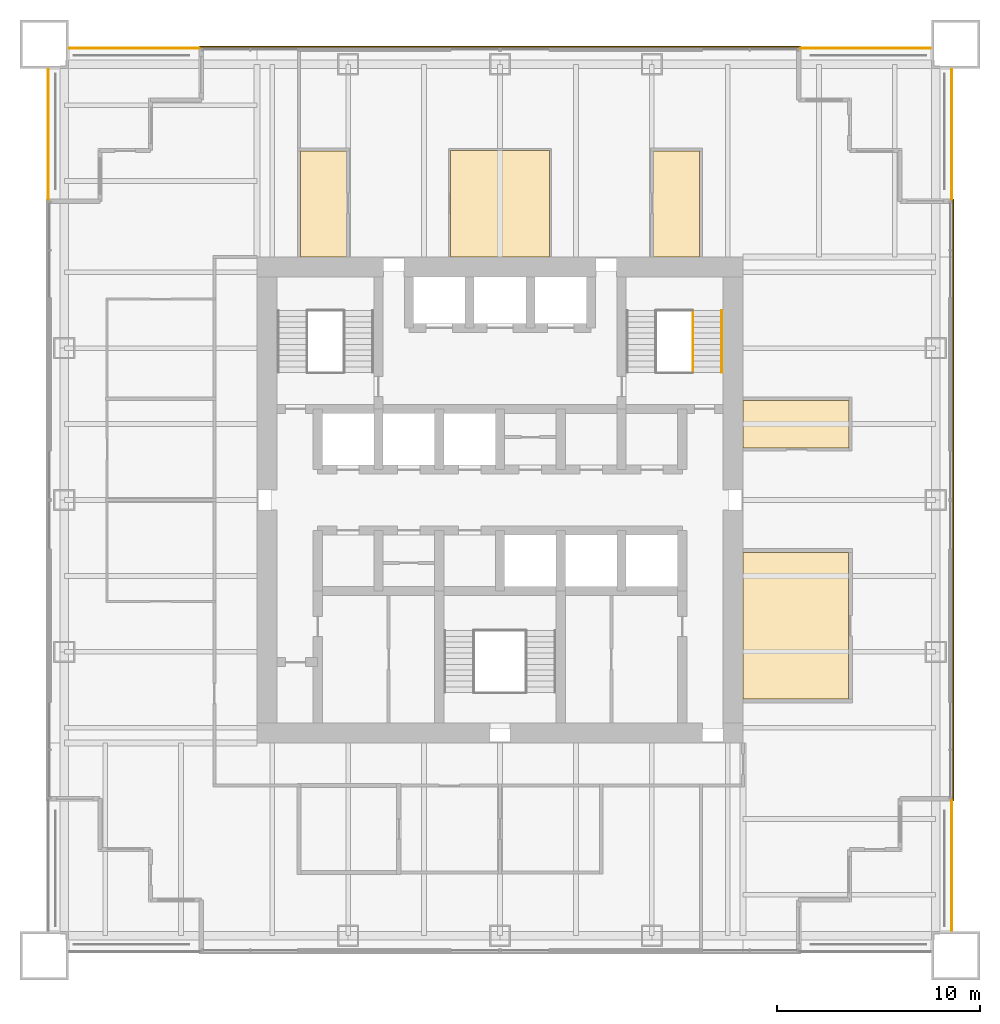
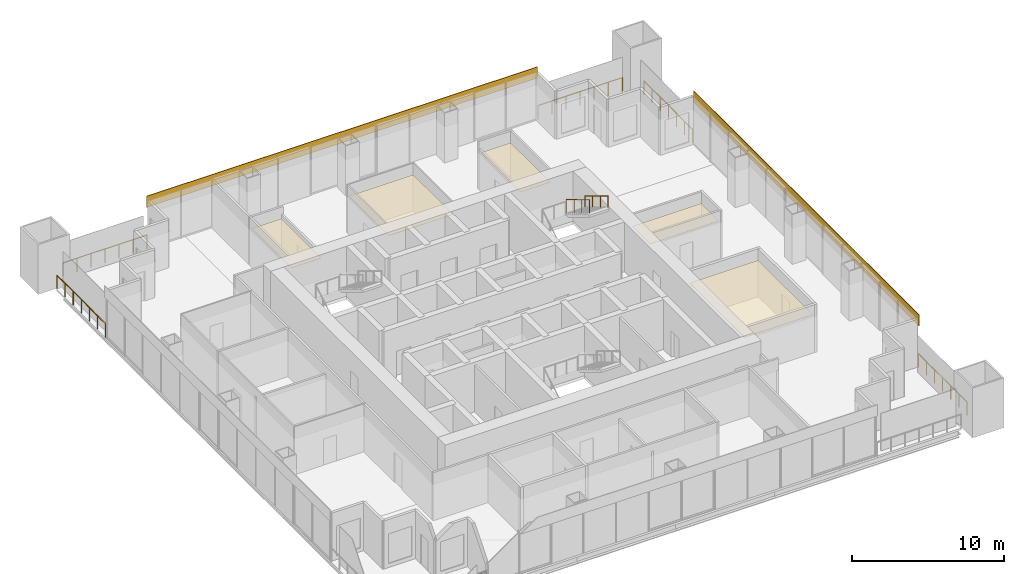
# One storey, part 13 of 13: 7 coverings, 7 railings.
"""IFC4 building model written with IfcOpenShell, lengths in metres."""

from ifc_helpers import new_model, si_unit, direction, frame, origin, origin_2d, place, context, subcontext, project, spatial, polyline, rectangle, circle, outline, extrude, material, layer, layer_set, type_object, element, save


model = new_model("IFC4")

# Units and contexts
model_context = context("Model", 3, precision=1e-05, world=origin(), true_north=direction((0.0, 1.0)))
body_context = subcontext(model_context, "Body", "Model", "MODEL_VIEW")
ifc_project = project(units=[si_unit("LENGTHUNIT", "METRE"), si_unit("AREAUNIT", "SQUARE_METRE"), si_unit("VOLUMEUNIT", "CUBIC_METRE"), si_unit("PLANEANGLEUNIT", "RADIAN"), si_unit("MASSUNIT", "GRAM", prefix="KILO")], contexts=[model_context])

# Site, building, storey
site_placement = place(None, origin())
site = spatial("IfcSite", under=ifc_project, at=site_placement, CompositionType="ELEMENT")
building_placement = place(site_placement, origin())
building = spatial("IfcBuilding", under=site, at=building_placement, Name="Tarangal Relay Tower", CompositionType="ELEMENT")
storey_placement = place(building_placement, frame((0.0, 0.0, 237.89990234375)))
storey = spatial("IfcBuildingStorey", under=building, at=storey_placement, Name="L51", CompositionType="ELEMENT", Elevation=237.89990234375)

# Coverings
ifc_material_1 = material(Name="Black anodised aluminium cladding", Category="aluminium")
ifc_layer_1 = layer(ifc_material_1, 0.050048828125)
ifc_layer_set_1 = layer_set([ifc_layer_1], Name="Black metal spandrel band")
covering_type_1 = type_object("IfcCoveringType", Name="Black metal spandrel band", PredefinedType="CLADDING", material=ifc_layer_set_1)
for number, where, z_axis, x_axis, name in (
    (1, (0.0, 22.375, 3.250244140625), (0.0, 0.0, 1.0), (1.0, 0.0, 0.0), "Spandrel band SB1 N L51"),
    (2, (22.375, 0.0, 3.250244140625), (0.0, 0.0, 1.0), (0.0, -1.0, 0.0), "Spandrel band SB1 E L51"),
):
    element("IfcCovering", number, at=place(storey_placement, frame(where, z_axis=z_axis, x_axis=x_axis)), inside=storey, type_object=covering_type_1, Name=name, PredefinedType="CLADDING", context=body_context, shape_type="SweptSolid", body=[
        extrude(rectangle(XDim=29.699951171875, YDim=0.050048828125, at=origin_2d()), origin(), (0.0, 0.0, 1.0), 0.89990234375),
    ])

# Railings
ifc_material_2 = material(Name="Steel guard, black finish", Category="steel")
railing_type_1 = type_object("IfcRailingType", Name="Stair guard 1100", PredefinedType="GUARDRAIL", material=ifc_material_2)
railing_1_placement = place(storey_placement, frame((9.530029296875, 9.346923828125, 2.166748046875)))
element("IfcRailing", 3, at=railing_1_placement, inside=storey, type_object=railing_type_1, Name="Stair ST-B guard GR1 L51 flight 2", PredefinedType="GUARDRAIL", context=body_context, shape_type="SweptSolid", body=[
    extrude(circle(Radius=0.02392578125, at=origin_2d()), frame((0.0, 0.0, 1.076171875), z_axis=(0.0, -0.85685617095, 0.515555527858), x_axis=(1.0, 0.0, 0.0)), (0.0, 0.0, 1.0), 3.555908203125),
    extrude(circle(Radius=0.02099609375, at=origin_2d()), origin(), (0.0, 0.0, 1.0), 1.052001953125),
    extrude(circle(Radius=0.02099609375, at=origin_2d()), frame((0.0, -1.015625, 0.611083984375)), (0.0, 0.0, 1.0), 1.052001953125),
    extrude(circle(Radius=0.02099609375, at=origin_2d()), frame((0.0, -2.03125, 1.22216796875)), (0.0, 0.0, 1.0), 1.052001953125),
    extrude(circle(Radius=0.02099609375, at=origin_2d()), frame((0.0, -3.046875, 1.833251953125)), (0.0, 0.0, 1.0), 1.052001953125),
])
ifc_material_3 = material(Name="Steel handrail, black finish", Category="steel")
railing_type_2 = type_object("IfcRailingType", Name="Stair handrail 900", PredefinedType="HANDRAIL", material=ifc_material_3)
railing_2_placement = place(storey_placement, frame((10.93994140625, 9.346923828125, 2.166748046875)))
element("IfcRailing", 4, at=railing_2_placement, inside=storey, type_object=railing_type_2, Name="Stair ST-B handrail HR1 L51 flight 2", PredefinedType="HANDRAIL", context=body_context, shape_type="SweptSolid", body=[
    extrude(circle(Radius=0.02392578125, at=origin_2d()), frame((0.0, 0.0, 0.8759765625), z_axis=(0.0, -0.85685617095, 0.515555527858), x_axis=(1.0, 0.0, 0.0)), (0.0, 0.0, 1.0), 3.555908203125),
    extrude(circle(Radius=0.02099609375, at=origin_2d()), origin(), (0.0, 0.0, 1.0), 0.851806640625),
    extrude(circle(Radius=0.02099609375, at=origin_2d()), frame((0.0, -1.015625, 0.611083984375)), (0.0, 0.0, 1.0), 0.851806640625),
    extrude(circle(Radius=0.02099609375, at=origin_2d()), frame((0.0, -2.03125, 1.22216796875)), (0.0, 0.0, 1.0), 0.851806640625),
    extrude(circle(Radius=0.02099609375, at=origin_2d()), frame((0.0, -3.046875, 1.833251953125)), (0.0, 0.0, 1.0), 0.851806640625),
])

# Coverings
ifc_material_4 = material(Name="Mineral fibre ceiling tiles", Category="gypsum")
ifc_layer_2 = layer(ifc_material_4, 0.02001953125)
ifc_layer_set_2 = layer_set([ifc_layer_2], Name="Suspended ceiling")
covering_type_2 = type_object("IfcCoveringType", Name="Suspended ceiling", PredefinedType="CEILING", material=ifc_layer_set_2)
covering_1_placement = place(storey_placement, frame((0.0, 0.0, 2.900146484375)))
element("IfcCovering", 5, at=covering_1_placement, inside=storey, type_object=covering_type_2, Name="Suspended ceiling CL1 L51-02", PredefinedType="CEILING", context=body_context, shape_type="SweptSolid", body=[
    extrude(outline(polyline([(-7.574951171875, 12.0), (-7.574951171875, 17.22509765625), (-9.842041015625, 17.22509765625), (-9.842041015625, 12.0), (-7.574951171875, 12.0)])), origin(), (0.0, 0.0, 1.0), 0.02001953125),
])
covering_2_placement = place(storey_placement, frame((0.0, 0.0, 2.900146484375)))
element("IfcCovering", 6, at=covering_2_placement, inside=storey, type_object=covering_type_2, Name="Suspended ceiling CL1 L51-03", PredefinedType="CEILING", context=body_context, shape_type="SweptSolid", body=[
    extrude(outline(polyline([(2.449951171875, 12.0), (2.449951171875, 17.25), (-2.449951171875, 17.25), (-2.449951171875, 12.0), (2.449951171875, 12.0)])), origin(), (0.0, 0.0, 1.0), 0.02001953125),
])
covering_3_placement = place(storey_placement, frame((0.0, 0.0, 2.900146484375)))
element("IfcCovering", 7, at=covering_3_placement, inside=storey, type_object=covering_type_2, Name="Suspended ceiling CL1 L51-04", PredefinedType="CEILING", context=body_context, shape_type="SweptSolid", body=[
    extrude(outline(polyline([(9.842041015625, 12.0), (9.842041015625, 17.22509765625), (7.574951171875, 17.22509765625), (7.574951171875, 12.0), (9.842041015625, 12.0)])), origin(), (0.0, 0.0, 1.0), 0.02001953125),
])
covering_4_placement = place(storey_placement, frame((0.0, 0.0, 2.900146484375)))
element("IfcCovering", 8, at=covering_4_placement, inside=storey, type_object=covering_type_2, Name="Suspended ceiling CL1 L51-05", PredefinedType="CEILING", context=body_context, shape_type="SweptSolid", body=[
    extrude(outline(polyline([(12.0, 2.574951171875), (17.22509765625, 2.574951171875), (17.22509765625, 4.925048828125), (12.0, 4.925048828125), (12.0, 2.574951171875)])), origin(), (0.0, 0.0, 1.0), 0.02001953125),
])
covering_5_placement = place(storey_placement, frame((0.0, 0.0, 2.900146484375)))
element("IfcCovering", 9, at=covering_5_placement, inside=storey, type_object=covering_type_2, Name="Suspended ceiling CL1 L51-06", PredefinedType="CEILING", context=body_context, shape_type="SweptSolid", body=[
    extrude(outline(polyline([(12.0, -9.81689453125), (17.199951171875, -9.81689453125), (17.199951171875, -2.60009765625), (12.0, -2.60009765625), (12.0, -9.81689453125)])), origin(), (0.0, 0.0, 1.0), 0.02001953125),
])

# Railings
ifc_material_5 = material(Name="Black steel guard with glass infill", Category="steel")
railing_type_3 = type_object("IfcRailingType", Name="Terrace guard 1100", PredefinedType="GUARDRAIL", material=ifc_material_5)
railing_3_placement = place(storey_placement, frame((14.85009765625, 22.300048828125, 0.0)))
element("IfcRailing", 10, at=railing_3_placement, inside=storey, type_object=railing_type_3, Name="Terrace guard GR2 NE L51", PredefinedType="GUARDRAIL", context=body_context, shape_type="SweptSolid", body=[
    extrude(circle(Radius=0.02392578125, at=origin_2d()), frame((0.0, 0.0, 1.076171875), z_axis=(1.0, 0.0, 0.0), x_axis=(0.0, 1.0, 0.0)), (0.0, 0.0, 1.0), 6.39990234375),
    extrude(circle(Radius=0.02099609375, at=origin_2d()), origin(), (0.0, 0.0, 1.0), 1.052001953125),
    extrude(circle(Radius=0.02099609375, at=origin_2d()), frame((1.066650390625, 0.0, 0.0)), (0.0, 0.0, 1.0), 1.052001953125),
    extrude(circle(Radius=0.02099609375, at=origin_2d()), frame((2.13330078125, 0.0, 0.0)), (0.0, 0.0, 1.0), 1.052001953125),
    extrude(circle(Radius=0.02099609375, at=origin_2d()), frame((3.199951171875, 0.0, 0.0)), (0.0, 0.0, 1.0), 1.052001953125),
    extrude(circle(Radius=0.02099609375, at=origin_2d()), frame((4.2666015625, 0.0, 0.0)), (0.0, 0.0, 1.0), 1.052001953125),
    extrude(circle(Radius=0.02099609375, at=origin_2d()), frame((5.333251953125, 0.0, 0.0)), (0.0, 0.0, 1.0), 1.052001953125),
    extrude(circle(Radius=0.02099609375, at=origin_2d()), frame((6.39990234375, 0.0, 0.0)), (0.0, 0.0, 1.0), 1.052001953125),
])
for number, where, name in (
    (11, (22.300048828125, 21.25, 0.0), "Terrace guard GR2 NE L51"),
    (12, (22.300048828125, -14.85009765625, 0.0), "Terrace guard GR2 SE L51"),
):
    element("IfcRailing", number, at=place(storey_placement, frame(where)), inside=storey, type_object=railing_type_3, Name=name, PredefinedType="GUARDRAIL", context=body_context, shape_type="SweptSolid", body=[
        extrude(circle(Radius=0.02392578125, at=origin_2d()), frame((0.0, 0.0, 1.076171875), z_axis=(0.0, -1.0, 0.0), x_axis=(1.0, 0.0, 0.0)), (0.0, 0.0, 1.0), 6.39990234375),
        extrude(circle(Radius=0.02099609375, at=origin_2d()), origin(), (0.0, 0.0, 1.0), 1.052001953125),
        extrude(circle(Radius=0.02099609375, at=origin_2d()), frame((0.0, -1.066650390625, 0.0)), (0.0, 0.0, 1.0), 1.052001953125),
        extrude(circle(Radius=0.02099609375, at=origin_2d()), frame((0.0, -2.13330078125, 0.0)), (0.0, 0.0, 1.0), 1.052001953125),
        extrude(circle(Radius=0.02099609375, at=origin_2d()), frame((0.0, -3.199951171875, 0.0)), (0.0, 0.0, 1.0), 1.052001953125),
        extrude(circle(Radius=0.02099609375, at=origin_2d()), frame((0.0, -4.2666015625, 0.0)), (0.0, 0.0, 1.0), 1.052001953125),
        extrude(circle(Radius=0.02099609375, at=origin_2d()), frame((0.0, -5.333251953125, 0.0)), (0.0, 0.0, 1.0), 1.052001953125),
        extrude(circle(Radius=0.02099609375, at=origin_2d()), frame((0.0, -6.39990234375, 0.0)), (0.0, 0.0, 1.0), 1.052001953125),
    ])
railing_4_placement = place(storey_placement, frame((-22.300048828125, 14.85009765625, 0.0)))
element("IfcRailing", 13, at=railing_4_placement, inside=storey, type_object=railing_type_3, Name="Terrace guard GR2 NW L51", PredefinedType="GUARDRAIL", context=body_context, shape_type="SweptSolid", body=[
    extrude(circle(Radius=0.02392578125, at=origin_2d()), frame((0.0, 0.0, 1.076171875), z_axis=(0.0, 1.0, 0.0), x_axis=(-1.0, 0.0, 0.0)), (0.0, 0.0, 1.0), 6.39990234375),
    extrude(circle(Radius=0.02099609375, at=origin_2d()), origin(), (0.0, 0.0, 1.0), 1.052001953125),
    extrude(circle(Radius=0.02099609375, at=origin_2d()), frame((0.0, 1.066650390625, 0.0)), (0.0, 0.0, 1.0), 1.052001953125),
    extrude(circle(Radius=0.02099609375, at=origin_2d()), frame((0.0, 2.13330078125, 0.0)), (0.0, 0.0, 1.0), 1.052001953125),
    extrude(circle(Radius=0.02099609375, at=origin_2d()), frame((0.0, 3.199951171875, 0.0)), (0.0, 0.0, 1.0), 1.052001953125),
    extrude(circle(Radius=0.02099609375, at=origin_2d()), frame((0.0, 4.2666015625, 0.0)), (0.0, 0.0, 1.0), 1.052001953125),
    extrude(circle(Radius=0.02099609375, at=origin_2d()), frame((0.0, 5.333251953125, 0.0)), (0.0, 0.0, 1.0), 1.052001953125),
    extrude(circle(Radius=0.02099609375, at=origin_2d()), frame((0.0, 6.39990234375, 0.0)), (0.0, 0.0, 1.0), 1.052001953125),
])
railing_5_placement = place(storey_placement, frame((-21.25, 22.300048828125, 0.0)))
element("IfcRailing", 14, at=railing_5_placement, inside=storey, type_object=railing_type_3, Name="Terrace guard GR2 NW L51", PredefinedType="GUARDRAIL", context=body_context, shape_type="SweptSolid", body=[
    extrude(circle(Radius=0.02392578125, at=origin_2d()), frame((0.0, 0.0, 1.076171875), z_axis=(1.0, 0.0, 0.0), x_axis=(0.0, 1.0, 0.0)), (0.0, 0.0, 1.0), 6.39990234375),
    extrude(circle(Radius=0.02099609375, at=origin_2d()), origin(), (0.0, 0.0, 1.0), 1.052001953125),
    extrude(circle(Radius=0.02099609375, at=origin_2d()), frame((1.066650390625, 0.0, 0.0)), (0.0, 0.0, 1.0), 1.052001953125),
    extrude(circle(Radius=0.02099609375, at=origin_2d()), frame((2.13330078125, 0.0, 0.0)), (0.0, 0.0, 1.0), 1.052001953125),
    extrude(circle(Radius=0.02099609375, at=origin_2d()), frame((3.199951171875, 0.0, 0.0)), (0.0, 0.0, 1.0), 1.052001953125),
    extrude(circle(Radius=0.02099609375, at=origin_2d()), frame((4.2666015625, 0.0, 0.0)), (0.0, 0.0, 1.0), 1.052001953125),
    extrude(circle(Radius=0.02099609375, at=origin_2d()), frame((5.333251953125, 0.0, 0.0)), (0.0, 0.0, 1.0), 1.052001953125),
    extrude(circle(Radius=0.02099609375, at=origin_2d()), frame((6.39990234375, 0.0, 0.0)), (0.0, 0.0, 1.0), 1.052001953125),
])

save(model, "model.ifc")
